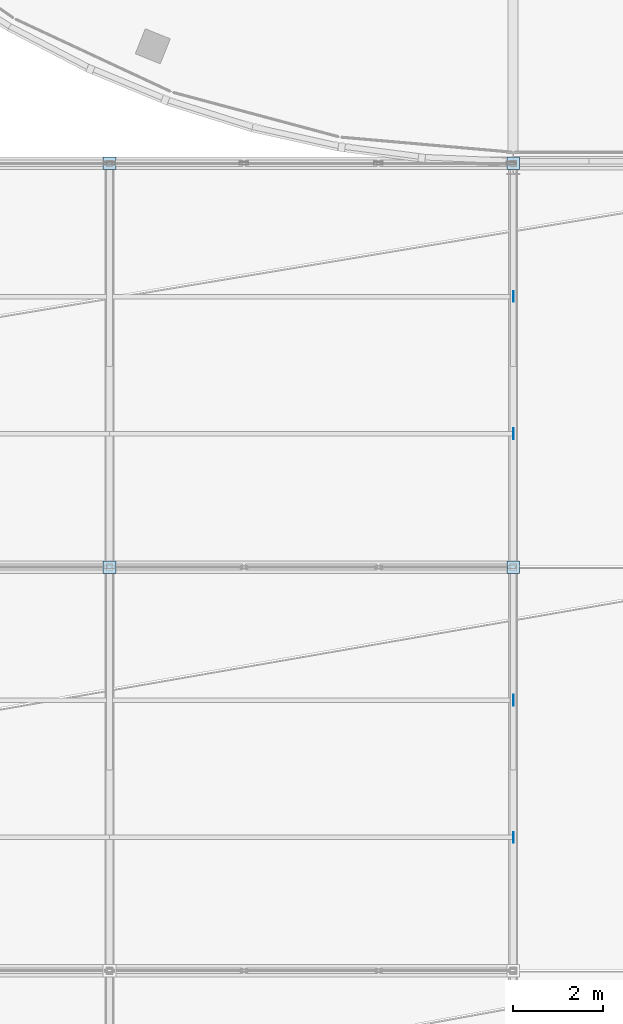
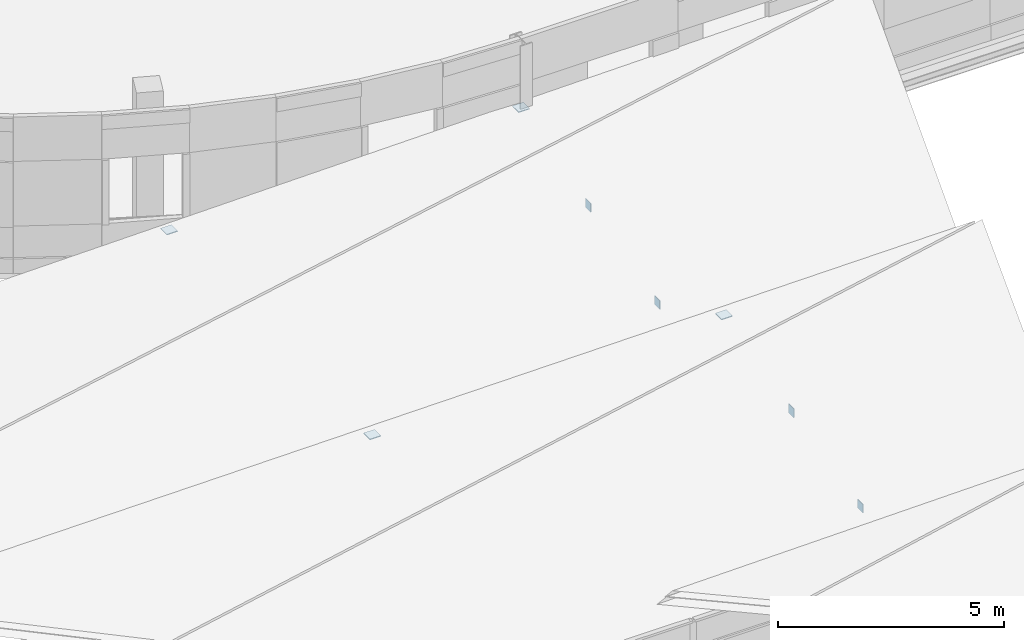
# One storey, part 81 of 103: 8 plates.
"""IFC4 building model written with IfcOpenShell, lengths in metres."""

from ifc_helpers import new_model, si_unit, direction, frame, origin, origin_2d, place, context, subcontext, project, spatial, rectangle, extrude, material, layer, layer_set, type_object, element, save


model = new_model("IFC4")

# Units and contexts
model_context = context("Model", 3, precision=1e-05, world=origin(), true_north=direction((0.0, 1.0)))
body_context = subcontext(model_context, "Body", "Model", "MODEL_VIEW")
ifc_project = project(units=[si_unit("LENGTHUNIT", "METRE"), si_unit("AREAUNIT", "SQUARE_METRE"), si_unit("VOLUMEUNIT", "CUBIC_METRE"), si_unit("PLANEANGLEUNIT", "RADIAN"), si_unit("MASSUNIT", "GRAM", prefix="KILO")], contexts=[model_context])

# Site, building, storey
site_placement = place(None, origin())
site = spatial("IfcSite", under=ifc_project, at=site_placement, CompositionType="ELEMENT")
building_placement = place(site_placement, origin())
building = spatial("IfcBuilding", under=site, at=building_placement, Name="Deido Ridge Mobility Hub", CompositionType="ELEMENT")
storey_placement = place(building_placement, frame((0.0, 0.0, 12.60009765625)))
storey = spatial("IfcBuildingStorey", under=building, at=storey_placement, Name="L03", CompositionType="ELEMENT", Elevation=12.60009765625)

# Plates
ifc_material = material(Name="Steel S355J2 EN 10025-2", Category="steel")
ifc_layer_1 = layer(ifc_material, 0.01611328125, Name="Steel S355J2 EN 10025-2")
ifc_layer_set_1 = layer_set([ifc_layer_1], Name="Steel S355J2 EN 10025-2")
plate_type_1 = type_object("IfcPlateType", Name="PLT-CAP-16", PredefinedType="USERDEFINED", material=ifc_layer_set_1)
for number, where, z_axis, x_axis, name in (
    (1, (45.008056640625, 65.969970703125, 0.552734375), (0.0, 0.0, 1.0), (1.0, 0.0, 0.0), "Hollow member sealed end-cap plate EC1-215"),
    (2, (45.008056640625, 69.030029296875, 1.27685546875), (0.0, 0.0, 1.0), (1.0, 0.0, 0.0), "Hollow member sealed end-cap plate EC1-219"),
    (3, (45.008056640625, 74.969970703125, 0.6025390625), (0.0, 0.0, 1.0), (1.0, 0.0, 0.0), "Hollow member sealed end-cap plate EC1-229"),
    (4, (45.008056640625, 78.030029296875, 1.37744140625), (0.0, 0.0, 1.0), (1.0, 0.0, 0.0), "Hollow member sealed end-cap plate EC1-233"),
):
    element("IfcPlate", number, at=place(storey_placement, frame(where, z_axis=z_axis, x_axis=x_axis)), inside=storey, type_object=plate_type_1, Name=name, ObjectType="END CAP PLATE", PredefinedType="USERDEFINED", context=body_context, shape_type="SweptSolid", body=[
        extrude(rectangle(XDim=0.01611328125, YDim=0.239990234375, at=origin_2d()), origin(), (0.0, 0.0, 1.0), 0.239990234375),
    ])
ifc_layer_2 = layer(ifc_material, 0.02197265625, Name="Steel S355J2 EN 10025-2")
ifc_layer_set_2 = layer_set([ifc_layer_2], Name="Steel S355J2 EN 10025-2")
plate_type_2 = type_object("IfcPlateType", Name="PLT-CAP-22", PredefinedType="USERDEFINED", material=ifc_layer_set_2)
for number, where, z_axis, x_axis, name in (
    (5, (36.0, 72.0, 2.0888671875), (0.0, 0.0, 1.0), (1.0, 0.0, 0.0), "Hollow member sealed end-cap plate EC2-210"),
    (6, (45.0, 72.0, 2.178955078125), (0.0, 0.0, 1.0), (1.0, 0.0, 0.0), "Hollow member sealed end-cap plate EC2-211"),
    (7, (36.0, 81.0, 2.1689453125), (0.0, 0.0, 1.0), (1.0, 0.0, 0.0), "Hollow member sealed end-cap plate EC2-224"),
    (8, (45.0, 81.0, 2.328857421875), (0.0, 0.0, 1.0), (1.0, 0.0, 0.0), "Hollow member sealed end-cap plate EC2-225"),
):
    element("IfcPlate", number, at=place(storey_placement, frame(where, z_axis=z_axis, x_axis=x_axis)), inside=storey, type_object=plate_type_2, Name=name, ObjectType="END CAP PLATE", PredefinedType="USERDEFINED", context=body_context, shape_type="SweptSolid", body=[
        extrude(rectangle(XDim=0.280029296875, YDim=0.280029296875, at=origin_2d()), origin(), (0.0, 0.0, 1.0), 0.02197265625),
    ])

save(model, "model.ifc")
